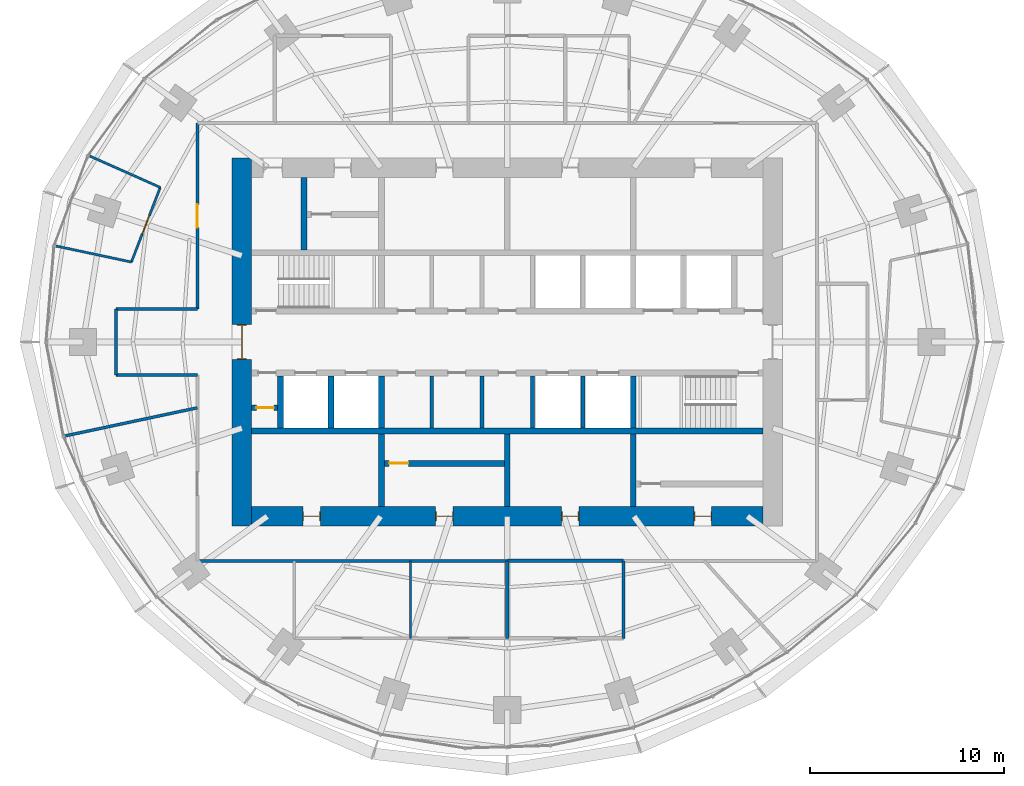
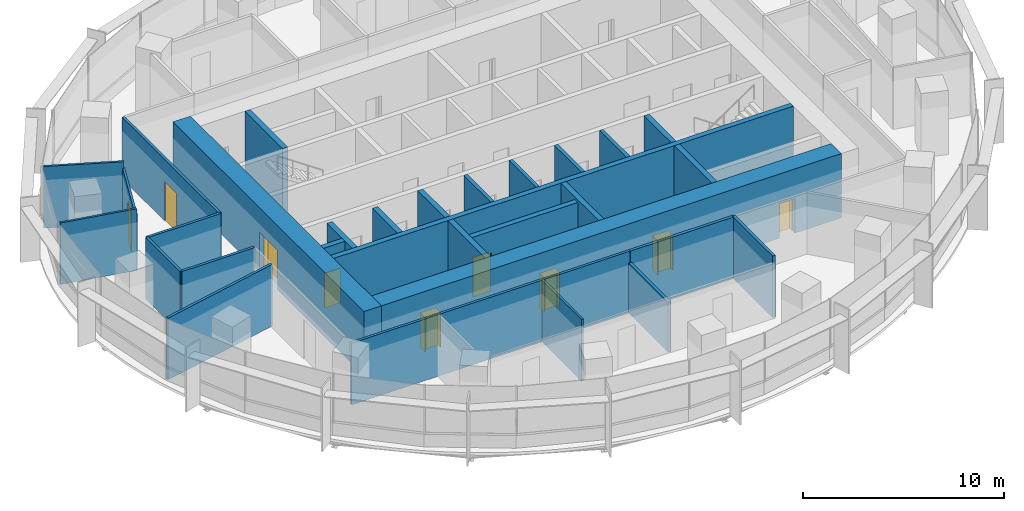
# One storey, part 10 of 14: 30 walls, 9 doors, 9 openings.
"""IFC4 building model written with IfcOpenShell, lengths in metres."""

import ifcopenshell
import ifcopenshell.guid

model = None  # the IFC model being written
_history = None  # IfcOwnerHistory: only IFC2X3 demands one
_inside = {}  # id of a spatial element -> (the spatial element, [elements in it])
_under = {}  # id of a project, library or spatial element -> (it, [spatial elements below it])
_declared = {}  # id of a project -> (the project, [libraries it declares])
_typed = {}  # id of a type object -> (the type object, [elements of that type])
_made_of = {}  # id of a material, layer set ... -> (it, [elements and type objects made of it])


def new_model(schema):
    """Start an empty IFC model of exactly this schema.

    Asked for "IFC4X3", IfcOpenShell would pick the latest addendum, in which some entities
    have other attributes; the version numbers below select the first issue.
    IFC2X3 requires an IfcOwnerHistory on every rooted entity: one is made here for all.
    """
    global model, _history
    if schema == "IFC4X3":
        model = ifcopenshell.file(schema_version=(4, 3, 0, 0))
    else:
        model = ifcopenshell.file(schema=schema)
    _inside.clear()
    _under.clear()
    _declared.clear()
    _typed.clear()
    _made_of.clear()
    _history = None
    if model.schema == "IFC2X3":
        org = make("IfcOrganization", Name="unknown")
        user = make(
            "IfcPersonAndOrganization",
            ThePerson=make("IfcPerson", FamilyName="unknown"),
            TheOrganization=org,
        )
        app = make(
            "IfcApplication",
            ApplicationDeveloper=org,
            Version="unknown",
            ApplicationFullName="unknown",
            ApplicationIdentifier="unknown",
        )
        _history = make(
            "IfcOwnerHistory",
            OwningUser=user,
            OwningApplication=app,
            ChangeAction="ADDED",
            CreationDate=0,
        )
    return model


def make(cls, **values):
    """One entity of the class cls with the attributes given. An attribute that is None is left unset."""
    return model.create_entity(
        cls, **{name: value for name, value in values.items() if value is not None}
    )


def rooted(cls, **values):
    """An entity with a GlobalId (a new one), such as an element, a storey or a relation."""
    return make(cls, GlobalId=ifcopenshell.guid.new(), OwnerHistory=_history, **values)


def si_unit(unit_type, name, prefix=None):
    """IfcSIUnit, for example si_unit("LENGTHUNIT", "METRE", prefix="MILLI")."""
    return make("IfcSIUnit", UnitType=unit_type, Prefix=prefix, Name=name)


def assignment(units):
    """IfcUnitAssignment: the units of a project."""
    return None if units is None else make("IfcUnitAssignment", Units=units)


def point(xyz):
    """IfcCartesianPoint."""
    return None if xyz is None else make("IfcCartesianPoint", Coordinates=xyz)


def direction(xyz):
    """IfcDirection."""
    return None if xyz is None else make("IfcDirection", DirectionRatios=xyz)


def frame(location, z_axis=None, x_axis=None):
    """IfcAxis2Placement3D, a coordinate frame: its origin and axes. An axis left out is left unset."""
    return make(
        "IfcAxis2Placement3D",
        Location=point(location),
        Axis=direction(z_axis),
        RefDirection=direction(x_axis),
    )


def frame_2d(location, x_axis=None):
    """IfcAxis2Placement2D, a coordinate frame in the plane: its origin and x axis."""
    return make(
        "IfcAxis2Placement2D", Location=point(location), RefDirection=direction(x_axis)
    )


def origin():
    """The frame at (0, 0, 0) with its axes left unset."""
    return frame((0.0, 0.0, 0.0))


def place(relative_to, where):
    """IfcLocalPlacement: puts the frame where relative to a parent placement (None: the world)."""
    return make(
        "IfcLocalPlacement", PlacementRelTo=relative_to, RelativePlacement=where
    )


def context(
    kind, dimensions, precision=None, world=None, true_north=None, identifier=None
):
    """IfcGeometricRepresentationContext, for example the 3D "Model" context."""
    return make(
        "IfcGeometricRepresentationContext",
        ContextIdentifier=identifier,
        ContextType=kind,
        CoordinateSpaceDimension=dimensions,
        Precision=precision,
        WorldCoordinateSystem=world,
        TrueNorth=true_north,
    )


def subcontext(parent, identifier, kind, view, scale=None):
    """IfcGeometricRepresentationSubContext, for example "Body" below "Model"."""
    return make(
        "IfcGeometricRepresentationSubContext",
        ContextIdentifier=identifier,
        ContextType=kind,
        ParentContext=parent,
        TargetScale=scale,
        TargetView=view,
    )


def project(units=None, contexts=None):
    """IfcProject with its units and contexts."""
    return rooted(
        "IfcProject",
        Name="project",
        RepresentationContexts=contexts,
        UnitsInContext=assignment(units),
    )


def spatial(cls, under=None, at=None, **own):
    """A site, building, storey or space (cls), placed at a placement, below another one or the project."""
    s = rooted(cls, ObjectPlacement=at, **own)
    if under is not None:
        _under.setdefault(under.id(), (under, []))[1].append(s)
    return s


def profile(cls, at=None, kind="AREA", **sizes):
    """A parametric profile (cls). Its sizes go by their IFC names, for example OverallWidth=200.0."""
    return make(cls, ProfileType=kind, Position=at, **sizes)


def rectangle(**sizes):
    """IfcRectangleProfileDef."""
    return profile("IfcRectangleProfileDef", **sizes)


def extrude(swept, where, along, depth):
    """IfcExtrudedAreaSolid: the profile swept, set in the frame where, extruded along a direction by depth."""
    return make(
        "IfcExtrudedAreaSolid",
        SweptArea=swept,
        Position=where,
        ExtrudedDirection=direction(along),
        Depth=depth,
    )


def shape(context_of_items, identifier, shape_type, items):
    """IfcShapeRepresentation: the items that make up one representation, for example the "Body"."""
    return make(
        "IfcShapeRepresentation",
        ContextOfItems=context_of_items,
        RepresentationIdentifier=identifier,
        RepresentationType=shape_type,
        Items=items,
    )


def material(Name=None, Category=None):
    """IfcMaterial."""
    return make("IfcMaterial", Name=Name, Category=Category)


def layer(
    of_material, thickness, ventilated=None, Name=None, Category=None, Priority=None
):
    """IfcMaterialLayer: one layer of a wall or slab, of a material (None: an air gap)."""
    return make(
        "IfcMaterialLayer",
        Material=of_material,
        LayerThickness=thickness,
        IsVentilated=ventilated,
        Name=Name,
        Category=Category,
        Priority=Priority,
    )


def layer_set(layers, Name=None):
    """IfcMaterialLayerSet."""
    return make("IfcMaterialLayerSet", MaterialLayers=layers, LayerSetName=Name)


def made_of(thing, what):
    """Note that an element or type object is made of a material, layer set ...; save() writes the relation."""
    if what is not None:
        _made_of.setdefault(what.id(), (what, []))[1].append(thing)
    return thing


def type_object(cls, material=None, **own):
    """A type object (cls), such as IfcWallType, which elements share."""
    return made_of(rooted(cls, **own), material)


def element(
    cls,
    number,
    at=None,
    inside=None,
    cuts=None,
    type_object=None,
    material=None,
    context=None,
    identifier="Body",
    shape_type=None,
    held_by="IfcProductDefinitionShape",
    body=None,
    shapes=None,
    **own,
):
    """One element of the class cls, such as IfcWall. Its Tag is "e" and its number.

    at: its placement. inside: the storey or other place that contains it. cuts: it is an
    opening in that element (IfcRelVoidsElement). A single representation is given by context,
    identifier, shape_type and body (its items); several are given by shapes. held_by: the class
    of the entity that holds the representations. save() writes the other relations.
    """
    e = rooted(cls, Tag="e%d" % number, ObjectPlacement=at, **own)
    if body is not None:
        shapes = [shape(context, identifier, shape_type, body)]
    if shapes is not None:
        e.Representation = make(held_by, Representations=shapes)
    if inside is not None:
        _inside.setdefault(inside.id(), (inside, []))[1].append(e)
    if cuts is not None:
        rooted(
            "IfcRelVoidsElement", RelatingBuildingElement=cuts, RelatedOpeningElement=e
        )
    if type_object is not None:
        _typed.setdefault(type_object.id(), (type_object, []))[1].append(e)
    return made_of(e, material)


def fill(opening, filler):
    """IfcRelFillsElement: the door or window that sits in an opening."""
    return rooted(
        "IfcRelFillsElement",
        RelatingOpeningElement=opening,
        RelatedBuildingElement=filler,
    )


def aggregate(whole, parts):
    """IfcRelAggregates: a whole, such as a stair, and the parts it consists of."""
    return rooted("IfcRelAggregates", RelatingObject=whole, RelatedObjects=parts)


def save(model, path):
    """Write the relations noted so far, then the file.

    IfcRelAggregates (storeys below a building ...), IfcRelContainedInSpatialStructure (elements
    in a storey), IfcRelDefinesByType, IfcRelAssociatesMaterial and IfcRelDeclares: one each for
    every whole, place, type object, material and project.
    """
    for whole, parts in _under.values():
        aggregate(whole, parts)
    for where, things in _inside.values():
        rooted(
            "IfcRelContainedInSpatialStructure",
            RelatedElements=things,
            RelatingStructure=where,
        )
    for kind, things in _typed.values():
        rooted("IfcRelDefinesByType", RelatedObjects=things, RelatingType=kind)
    for what, things in _made_of.values():
        rooted("IfcRelAssociatesMaterial", RelatedObjects=things, RelatingMaterial=what)
    for by, libraries in _declared.values():
        rooted("IfcRelDeclares", RelatingContext=by, RelatedDefinitions=libraries)
    model.write(path)


model = new_model("IFC4")

# Units and contexts
model_context = context("Model", 3, precision=1e-05, world=origin(), true_north=direction((0.0, 1.0)))
body_context = subcontext(model_context, "Body", "Model", "MODEL_VIEW")
ifc_project = project(units=[si_unit("LENGTHUNIT", "METRE"), si_unit("AREAUNIT", "SQUARE_METRE"), si_unit("VOLUMEUNIT", "CUBIC_METRE"), si_unit("PLANEANGLEUNIT", "RADIAN"), si_unit("MASSUNIT", "GRAM", prefix="KILO")], contexts=[model_context])

# Site, building, storey
site_placement = place(None, origin())
site = spatial("IfcSite", under=ifc_project, at=site_placement, CompositionType="ELEMENT")
building_placement = place(site_placement, origin())
building = spatial("IfcBuilding", under=site, at=building_placement, Name="Marramba Exchange Tower", CompositionType="ELEMENT")
storey_placement = place(building_placement, frame((0.0, 0.0, 195.5)))
storey = spatial("IfcBuildingStorey", under=building, at=storey_placement, Name="L47", CompositionType="ELEMENT", Elevation=195.5)

# Walls
ifc_material_1 = material(Name="Plasterboard on staggered double steel studs, acoustic insulation", Category="steel")
ifc_layer_1 = layer(ifc_material_1, 0.169921875)
ifc_layer_set_1 = layer_set([ifc_layer_1], Name="Acoustic partition 170")
wall_type_1 = type_object("IfcWallType", Name="Acoustic partition 170", PredefinedType="PARTITIONING", material=ifc_layer_set_1)
wall_1_placement = place(storey_placement, frame((0.0, -15.300048828125, 0.0), z_axis=(0.0, 0.0, 1.0), x_axis=(0.0, 1.0, 0.0)))
element("IfcWall", 1, at=wall_1_placement, inside=storey, type_object=wall_type_1, Name="Acoustic partition L47 08", PredefinedType="PARTITIONING", context=body_context, shape_type="SweptSolid", body=[
    extrude(rectangle(XDim=4.0, YDim=0.169921875, at=frame_2d((2.0, 0.0))), origin(), (0.0, 0.0, 1.0), 3.0400390625),
])
wall_2_placement = place(storey_placement, frame((6.0, -11.300048828125, 0.0), z_axis=(0.0, 0.0, 1.0), x_axis=(-1.0, 0.0, 0.0)))
element("IfcWall", 2, at=wall_2_placement, inside=storey, type_object=wall_type_1, Name="Acoustic partition L47 10", PredefinedType="PARTITIONING", context=body_context, shape_type="SweptSolid", body=[
    extrude(rectangle(XDim=6.0, YDim=0.169921875, at=frame_2d((3.0, 0.0))), origin(), (0.0, 0.0, 1.0), 3.739990234375),
])
wall_3_placement = place(storey_placement, frame((6.0, -15.300048828125, 0.0), z_axis=(0.0, 0.0, 1.0), x_axis=(0.0, 1.0, 0.0)))
element("IfcWall", 3, at=wall_3_placement, inside=storey, type_object=wall_type_1, Name="Acoustic partition L47 11", PredefinedType="PARTITIONING", context=body_context, shape_type="SweptSolid", body=[
    extrude(rectangle(XDim=4.0, YDim=0.169921875, at=frame_2d((2.0, 0.0))), origin(), (0.0, 0.0, 1.0), 3.739990234375),
])
ifc_material_2 = material(Name="Concrete N50", Category="concrete")
ifc_layer_2 = layer(ifc_material_2, 0.199951171875)
ifc_layer_set_2 = layer_set([ifc_layer_2], Name="Core shaft wall 200")
wall_type_2 = type_object("IfcWallType", Name="Core shaft wall 200", PredefinedType="SHEAR", material=ifc_layer_set_2)
for number, where, z_axis, x_axis, name in (
    (4, (-3.89990234375, -1.75, 0.0), (0.0, 0.0, 1.0), (0.0, -1.0, 0.0), "Core wall SHS1 L47"),
    (5, (-1.300048828125, -1.75, 0.0), (0.0, 0.0, 1.0), (0.0, -1.0, 0.0), "Core wall SHS2 L47"),
    (6, (1.300048828125, -1.75, 0.0), (0.0, 0.0, 1.0), (0.0, -1.0, 0.0), "Core wall SHS3 L47"),
    (7, (3.89990234375, -1.75, 0.0), (0.0, 0.0, 1.0), (0.0, -1.0, 0.0), "Core wall SHS4 L47"),
):
    element("IfcWall", number, at=place(storey_placement, frame(where, z_axis=z_axis, x_axis=x_axis)), inside=storey, type_object=wall_type_2, Name=name, PredefinedType="SHEAR", context=body_context, shape_type="SweptSolid", body=[
        extrude(rectangle(XDim=2.699951171875, YDim=0.199951171875, at=frame_2d((1.35009765625, 0.0))), origin(), (0.0, 0.0, 1.0), 3.89990234375),
    ])

# Wall, openings, doors
ifc_layer_3 = layer(ifc_material_2, 1.0)
ifc_layer_set_3 = layer_set([ifc_layer_3], Name="Core wall 1000")
wall_type_3 = type_object("IfcWallType", Name="Core wall 1000", PredefinedType="SHEAR", material=ifc_layer_set_3)
wall_4_placement = place(storey_placement, frame((-13.199951171875, -9.0, 0.0), z_axis=(0.0, 0.0, 1.0), x_axis=(1.0, 0.0, 0.0)))
wall_4 = element("IfcWall", 8, at=wall_4_placement, inside=storey, type_object=wall_type_3, Name="Core wall S L47", PredefinedType="SHEAR", context=body_context, shape_type="SweptSolid", body=[
    extrude(rectangle(XDim=26.39990234375, YDim=1.0, at=frame_2d((13.199951171875, 0.0))), origin(), (0.0, 0.0, 1.0), 3.89990234375),
])
opening_1_placement = place(wall_4_placement, frame((2.64990234375, 0.0, 0.0)))
opening_1 = element("IfcOpeningElement", 9, at=opening_1_placement, cuts=wall_4, Name="Opening D5", PredefinedType="OPENING", context=body_context, shape_type="SweptSolid", body=[
    extrude(rectangle(XDim=0.89990234375, YDim=2.10009765625, at=frame_2d((0.449951171875, 1.050048828125))), frame((0.0, 0.510009765625, 0.0), z_axis=(0.0, -1.0, 0.0), x_axis=(1.0, 0.0, 0.0)), (0.0, 0.0, 1.0), 1.02001953125),
])
opening_2_placement = place(wall_4_placement, frame((9.5, 0.0, 0.0)))
opening_2 = element("IfcOpeningElement", 10, at=opening_2_placement, cuts=wall_4, Name="Opening D5", PredefinedType="OPENING", context=body_context, shape_type="SweptSolid", body=[
    extrude(rectangle(XDim=0.89990234375, YDim=2.10009765625, at=frame_2d((0.449951171875, 1.050048828125))), frame((0.0, 0.510009765625, 0.0), z_axis=(0.0, -1.0, 0.0), x_axis=(1.0, 0.0, 0.0)), (0.0, 0.0, 1.0), 1.02001953125),
])
opening_3_placement = place(wall_4_placement, frame((16.0, 0.0, 0.0)))
opening_3 = element("IfcOpeningElement", 11, at=opening_3_placement, cuts=wall_4, Name="Opening D5", PredefinedType="OPENING", context=body_context, shape_type="SweptSolid", body=[
    extrude(rectangle(XDim=0.89990234375, YDim=2.10009765625, at=frame_2d((0.449951171875, 1.050048828125))), frame((0.0, 0.510009765625, 0.0), z_axis=(0.0, -1.0, 0.0), x_axis=(1.0, 0.0, 0.0)), (0.0, 0.0, 1.0), 1.02001953125),
])
opening_4_placement = place(wall_4_placement, frame((22.85009765625, 0.0, 0.0)))
opening_4 = element("IfcOpeningElement", 12, at=opening_4_placement, cuts=wall_4, Name="Opening D5", PredefinedType="OPENING", context=body_context, shape_type="SweptSolid", body=[
    extrude(rectangle(XDim=0.89990234375, YDim=2.10009765625, at=frame_2d((0.449951171875, 1.050048828125))), frame((0.0, 0.510009765625, 0.0), z_axis=(0.0, -1.0, 0.0), x_axis=(1.0, 0.0, 0.0)), (0.0, 0.0, 1.0), 1.02001953125),
])
ifc_material_3 = material(Name="Steel-framed door", Category="steel")
door_type_1 = type_object("IfcDoorType", Name="Service door 900x2100", OperationType="SINGLE_SWING_LEFT", PredefinedType="DOOR", material=ifc_material_3)
door_1_placement = place(opening_1_placement, origin())
door_1 = element("IfcDoor", 13, at=door_1_placement, inside=storey, type_object=door_type_1, Name="D5 ahu L47", OperationType="SINGLE_SWING_LEFT", OverallHeight=2.10009765625, OverallWidth=0.89990234375, PredefinedType="DOOR", context=body_context, shape_type="SweptSolid", body=[
    extrude(rectangle(XDim=0.81982421875, YDim=2.06005859375, at=frame_2d((0.449951171875, 1.030029296875))), frame((0.0, 0.02490234375, 0.0), z_axis=(0.0, -1.0, 0.0), x_axis=(1.0, 0.0, 0.0)), (0.0, 0.0, 1.0), 0.050048828125),
    extrude(rectangle(XDim=0.04, YDim=2.10009765625, at=frame_2d((0.02001953125, 1.050048828125))), frame((0.0, 0.25, 0.0), z_axis=(0.0, -1.0, 0.0), x_axis=(1.0, 0.0, 0.0)), (0.0, 0.0, 1.0), 0.5),
    extrude(rectangle(XDim=0.04, YDim=2.10009765625, at=frame_2d((0.8798828125, 1.050048828125))), frame((0.0, 0.25, 0.0), z_axis=(0.0, -1.0, 0.0), x_axis=(1.0, 0.0, 0.0)), (0.0, 0.0, 1.0), 0.5),
    extrude(rectangle(XDim=0.81982421875, YDim=0.04, at=frame_2d((0.449951171875, 2.080078125))), frame((0.0, 0.25, 0.0), z_axis=(0.0, -1.0, 0.0), x_axis=(1.0, 0.0, 0.0)), (0.0, 0.0, 1.0), 0.5),
])
fill(opening_1, door_1)
door_2_placement = place(opening_2_placement, origin())
door_2 = element("IfcDoor", 14, at=door_2_placement, inside=storey, type_object=door_type_1, Name="D5 store L47", OperationType="SINGLE_SWING_RIGHT", OverallHeight=2.10009765625, OverallWidth=0.89990234375, PredefinedType="DOOR", context=body_context, shape_type="SweptSolid", body=[
    extrude(rectangle(XDim=0.81982421875, YDim=2.06005859375, at=frame_2d((0.449951171875, 1.030029296875))), frame((0.0, 0.02490234375, 0.0), z_axis=(0.0, -1.0, 0.0), x_axis=(1.0, 0.0, 0.0)), (0.0, 0.0, 1.0), 0.050048828125),
    extrude(rectangle(XDim=0.04, YDim=2.10009765625, at=frame_2d((0.02001953125, 1.050048828125))), frame((0.0, 0.25, 0.0), z_axis=(0.0, -1.0, 0.0), x_axis=(1.0, 0.0, 0.0)), (0.0, 0.0, 1.0), 0.5),
    extrude(rectangle(XDim=0.04, YDim=2.10009765625, at=frame_2d((0.8798828125, 1.050048828125))), frame((0.0, 0.25, 0.0), z_axis=(0.0, -1.0, 0.0), x_axis=(1.0, 0.0, 0.0)), (0.0, 0.0, 1.0), 0.5),
    extrude(rectangle(XDim=0.81982421875, YDim=0.04, at=frame_2d((0.449951171875, 2.080078125))), frame((0.0, 0.25, 0.0), z_axis=(0.0, -1.0, 0.0), x_axis=(1.0, 0.0, 0.0)), (0.0, 0.0, 1.0), 0.5),
])
fill(opening_2, door_2)
door_3_placement = place(opening_3_placement, origin())
door_3 = element("IfcDoor", 15, at=door_3_placement, inside=storey, type_object=door_type_1, Name="D5 switch L47", OperationType="SINGLE_SWING_RIGHT", OverallHeight=2.10009765625, OverallWidth=0.89990234375, PredefinedType="DOOR", context=body_context, shape_type="SweptSolid", body=[
    extrude(rectangle(XDim=0.81982421875, YDim=2.06005859375, at=frame_2d((0.449951171875, 1.030029296875))), frame((0.0, 0.02490234375, 0.0), z_axis=(0.0, -1.0, 0.0), x_axis=(1.0, 0.0, 0.0)), (0.0, 0.0, 1.0), 0.050048828125),
    extrude(rectangle(XDim=0.04, YDim=2.10009765625, at=frame_2d((0.02001953125, 1.050048828125))), frame((0.0, 0.25, 0.0), z_axis=(0.0, -1.0, 0.0), x_axis=(1.0, 0.0, 0.0)), (0.0, 0.0, 1.0), 0.5),
    extrude(rectangle(XDim=0.04, YDim=2.10009765625, at=frame_2d((0.8798828125, 1.050048828125))), frame((0.0, 0.25, 0.0), z_axis=(0.0, -1.0, 0.0), x_axis=(1.0, 0.0, 0.0)), (0.0, 0.0, 1.0), 0.5),
    extrude(rectangle(XDim=0.81982421875, YDim=0.04, at=frame_2d((0.449951171875, 2.080078125))), frame((0.0, 0.25, 0.0), z_axis=(0.0, -1.0, 0.0), x_axis=(1.0, 0.0, 0.0)), (0.0, 0.0, 1.0), 0.5),
])
fill(opening_3, door_3)
door_4_placement = place(opening_4_placement, origin())
door_4 = element("IfcDoor", 16, at=door_4_placement, inside=storey, type_object=door_type_1, Name="D5 cstore L47", OperationType="SINGLE_SWING_RIGHT", OverallHeight=2.10009765625, OverallWidth=0.89990234375, PredefinedType="DOOR", context=body_context, shape_type="SweptSolid", body=[
    extrude(rectangle(XDim=0.81982421875, YDim=2.06005859375, at=frame_2d((0.449951171875, 1.030029296875))), frame((0.0, 0.02490234375, 0.0), z_axis=(0.0, -1.0, 0.0), x_axis=(1.0, 0.0, 0.0)), (0.0, 0.0, 1.0), 0.050048828125),
    extrude(rectangle(XDim=0.04, YDim=2.10009765625, at=frame_2d((0.02001953125, 1.050048828125))), frame((0.0, 0.25, 0.0), z_axis=(0.0, -1.0, 0.0), x_axis=(1.0, 0.0, 0.0)), (0.0, 0.0, 1.0), 0.5),
    extrude(rectangle(XDim=0.04, YDim=2.10009765625, at=frame_2d((0.8798828125, 1.050048828125))), frame((0.0, 0.25, 0.0), z_axis=(0.0, -1.0, 0.0), x_axis=(1.0, 0.0, 0.0)), (0.0, 0.0, 1.0), 0.5),
    extrude(rectangle(XDim=0.81982421875, YDim=0.04, at=frame_2d((0.449951171875, 2.080078125))), frame((0.0, 0.25, 0.0), z_axis=(0.0, -1.0, 0.0), x_axis=(1.0, 0.0, 0.0)), (0.0, 0.0, 1.0), 0.5),
])
fill(opening_4, door_4)

# Wall, opening, door
wall_5_placement = place(storey_placement, frame((-13.699951171875, 9.5, 0.0), z_axis=(0.0, 0.0, 1.0), x_axis=(0.0, -1.0, 0.0)))
wall_5 = element("IfcWall", 17, at=wall_5_placement, inside=storey, type_object=wall_type_3, Name="Core wall W L47", PredefinedType="SHEAR", context=body_context, shape_type="SweptSolid", body=[
    extrude(rectangle(XDim=19.0, YDim=1.0, at=frame_2d((9.5, 0.0))), origin(), (0.0, 0.0, 1.0), 3.89990234375),
])
opening_5_placement = place(wall_5_placement, frame((8.60009765625, 0.0, 0.0)))
opening_5 = element("IfcOpeningElement", 18, at=opening_5_placement, cuts=wall_5, Name="Opening D1", PredefinedType="OPENING", context=body_context, shape_type="SweptSolid", body=[
    extrude(rectangle(XDim=1.800048828125, YDim=2.39990234375, at=frame_2d((0.89990234375, 1.199951171875))), frame((0.0, 0.510009765625, 0.0), z_axis=(0.0, -1.0, 0.0), x_axis=(1.0, 0.0, 0.0)), (0.0, 0.0, 1.0), 1.02001953125),
])
door_type_2 = type_object("IfcDoorType", Name="Lobby exit door 1800x2400", OperationType="DOUBLE_DOOR_SINGLE_SWING", PredefinedType="DOOR", material=ifc_material_3)
door_5_placement = place(opening_5_placement, origin())
door_5 = element("IfcDoor", 19, at=door_5_placement, inside=storey, type_object=door_type_2, Name="D1 lobby exit west L47", OperationType="DOUBLE_DOOR_SINGLE_SWING", OverallHeight=2.39990234375, OverallWidth=1.800048828125, PredefinedType="DOOR", context=body_context, shape_type="SweptSolid", body=[
    extrude(rectangle(XDim=1.719970703125, YDim=2.35986328125, at=frame_2d((0.89990234375, 1.179931640625))), frame((0.0, 0.02490234375, 0.0), z_axis=(0.0, -1.0, 0.0), x_axis=(1.0, 0.0, 0.0)), (0.0, 0.0, 1.0), 0.050048828125),
    extrude(rectangle(XDim=0.04, YDim=2.39990234375, at=frame_2d((0.02001953125, 1.199951171875))), frame((0.0, 0.25, 0.0), z_axis=(0.0, -1.0, 0.0), x_axis=(1.0, 0.0, 0.0)), (0.0, 0.0, 1.0), 0.5),
    extrude(rectangle(XDim=0.04, YDim=2.39990234375, at=frame_2d((1.780029296875, 1.199951171875))), frame((0.0, 0.25, 0.0), z_axis=(0.0, -1.0, 0.0), x_axis=(1.0, 0.0, 0.0)), (0.0, 0.0, 1.0), 0.5),
    extrude(rectangle(XDim=1.719970703125, YDim=0.04, at=frame_2d((0.89990234375, 2.3798828125))), frame((0.0, 0.25, 0.0), z_axis=(0.0, -1.0, 0.0), x_axis=(1.0, 0.0, 0.0)), (0.0, 0.0, 1.0), 0.5),
])
fill(opening_5, door_5)

# Walls
ifc_layer_4 = layer(ifc_material_2, 0.300048828125)
ifc_layer_set_4 = layer_set([ifc_layer_4], Name="Core wall 300")
wall_type_4 = type_object("IfcWallType", Name="Core wall 300", PredefinedType="SHEAR", material=ifc_layer_set_4)
wall_6_placement = place(storey_placement, frame((-13.199951171875, -4.60009765625, 0.0), z_axis=(0.0, 0.0, 1.0), x_axis=(1.0, 0.0, 0.0)))
element("IfcWall", 20, at=wall_6_placement, inside=storey, type_object=wall_type_4, Name="Core wall BS L47", PredefinedType="SHEAR", context=body_context, shape_type="SweptSolid", body=[
    extrude(rectangle(XDim=26.39990234375, YDim=0.300048828125, at=frame_2d((13.199951171875, 0.0))), origin(), (0.0, 0.0, 1.0), 3.89990234375),
])
wall_7_placement = place(storey_placement, frame((-6.5, -1.75, 0.0), z_axis=(0.0, 0.0, 1.0), x_axis=(0.0, -1.0, 0.0)))
element("IfcWall", 21, at=wall_7_placement, inside=storey, type_object=wall_type_4, Name="Core wall X0Sa L47", PredefinedType="SHEAR", context=body_context, shape_type="SweptSolid", body=[
    extrude(rectangle(XDim=2.699951171875, YDim=0.300048828125, at=frame_2d((1.35009765625, 0.0))), origin(), (0.0, 0.0, 1.0), 3.89990234375),
])
wall_8_placement = place(storey_placement, frame((-6.5, -4.75, 0.0), z_axis=(0.0, 0.0, 1.0), x_axis=(0.0, -1.0, 0.0)))
element("IfcWall", 22, at=wall_8_placement, inside=storey, type_object=wall_type_4, Name="Core wall X0Sb L47", PredefinedType="SHEAR", context=body_context, shape_type="SweptSolid", body=[
    extrude(rectangle(XDim=3.75, YDim=0.300048828125, at=frame_2d((1.875, 0.0))), origin(), (0.0, 0.0, 1.0), 3.89990234375),
])
wall_9_placement = place(storey_placement, frame((6.5, -1.75, 0.0), z_axis=(0.0, 0.0, 1.0), x_axis=(0.0, -1.0, 0.0)))
element("IfcWall", 23, at=wall_9_placement, inside=storey, type_object=wall_type_4, Name="Core wall X1Sa L47", PredefinedType="SHEAR", context=body_context, shape_type="SweptSolid", body=[
    extrude(rectangle(XDim=2.699951171875, YDim=0.300048828125, at=frame_2d((1.35009765625, 0.0))), origin(), (0.0, 0.0, 1.0), 3.89990234375),
])
for number, where, z_axis, x_axis, name in (
    (24, (6.5, -4.75, 0.0), (0.0, 0.0, 1.0), (0.0, -1.0, 0.0), "Core wall X1Sb L47"),
    (25, (0.0, -4.75, 0.0), (0.0, 0.0, 1.0), (0.0, -1.0, 0.0), "Core wall MS L47"),
    (26, (-10.5, 4.75, 0.0), (0.0, 0.0, 1.0), (0.0, 1.0, 0.0), "Core wall WD L47"),
):
    element("IfcWall", number, at=place(storey_placement, frame(where, z_axis=z_axis, x_axis=x_axis)), inside=storey, type_object=wall_type_4, Name=name, PredefinedType="SHEAR", context=body_context, shape_type="SweptSolid", body=[
        extrude(rectangle(XDim=3.75, YDim=0.300048828125, at=frame_2d((1.875, 0.0))), origin(), (0.0, 0.0, 1.0), 3.89990234375),
    ])
ifc_material_4 = material(Name="Core-filled concrete blockwork", Category="masonry")
ifc_layer_5 = layer(ifc_material_4, 0.300048828125)
ifc_layer_set_5 = layer_set([ifc_layer_5], Name="Lift shaft wall 300")
wall_type_5 = type_object("IfcWallType", Name="Lift shaft wall 300", PredefinedType="SOLIDWALL", material=ifc_layer_set_5)
for number, where, z_axis, x_axis, name in (
    (27, (-9.10009765625, -1.75, 0.0), (0.0, 0.0, 1.0), (0.0, -1.0, 0.0), "Lift shaft wall W1 L47"),
    (28, (-11.699951171875, -1.75, 0.0), (0.0, 0.0, 1.0), (0.0, -1.0, 0.0), "Lift shaft wall W2 L47"),
):
    element("IfcWall", number, at=place(storey_placement, frame(where, z_axis=z_axis, x_axis=x_axis)), inside=storey, type_object=wall_type_5, Name=name, PredefinedType="SOLIDWALL", context=body_context, shape_type="SweptSolid", body=[
        extrude(rectangle(XDim=2.699951171875, YDim=0.300048828125, at=frame_2d((1.35009765625, 0.0))), origin(), (0.0, 0.0, 1.0), 3.739990234375),
    ])
ifc_material_5 = material(Name="Plasterboard on steel studs", Category="steel")
ifc_layer_6 = layer(ifc_material_5, 0.1201171875)
ifc_layer_set_6 = layer_set([ifc_layer_6], Name="Partition 120")
wall_type_6 = type_object("IfcWallType", Name="Partition 120", PredefinedType="PARTITIONING", material=ifc_layer_set_6)
for number, where, z_axis, x_axis, name in (
    (29, (-5.0, -11.300048828125, 0.0), (0.0, 0.0, 1.0), (0.0, -1.0, 0.0), "Partition L47 06"),
    (30, (-17.914794921875, 7.976318359375, 0.0), (0.0, 0.0, 1.0), (-0.913549606868, 0.406727323635, 0.0), "Partition L47 37"),
):
    element("IfcWall", number, at=place(storey_placement, frame(where, z_axis=z_axis, x_axis=x_axis)), inside=storey, type_object=wall_type_6, Name=name, PredefinedType="PARTITIONING", context=body_context, shape_type="SweptSolid", body=[
        extrude(rectangle(XDim=4.0, YDim=0.1201171875, at=frame_2d((2.0, 0.0))), origin(), (0.0, 0.0, 1.0), 3.739990234375),
    ])

# Wall, opening, door
wall_10_placement = place(storey_placement, frame((-19.404541015625, 4.12451171875, 0.0), z_axis=(0.0, 0.0, 1.0), x_axis=(0.360725417702, 0.932672060814, 0.0)))
wall_10 = element("IfcWall", 31, at=wall_10_placement, inside=storey, type_object=wall_type_6, Name="Partition L47 39", PredefinedType="PARTITIONING", context=body_context, shape_type="SweptSolid", body=[
    extrude(rectangle(XDim=4.1298828125, YDim=0.1201171875, at=frame_2d((2.06494140625, 0.0))), origin(), (0.0, 0.0, 1.0), 3.333984375),
])
opening_6_placement = place(wall_10_placement, frame((1.56494140625, 0.0, 0.0)))
opening_6 = element("IfcOpeningElement", 32, at=opening_6_placement, cuts=wall_10, Name="Opening D9", PredefinedType="OPENING", context=body_context, shape_type="SweptSolid", body=[
    extrude(rectangle(XDim=1.0, YDim=2.39990234375, at=frame_2d((0.5, 1.199951171875))), frame((0.0, 0.070068359375, 0.0), z_axis=(0.0, -1.0, 0.0), x_axis=(1.0, 0.0, 0.0)), (0.0, 0.0, 1.0), 0.14013671875),
])
ifc_material_6 = material(Name="Timber door", Category="wood")
door_type_3 = type_object("IfcDoorType", Name="Room door 1000x2400", OperationType="SINGLE_SWING_LEFT", PredefinedType="DOOR", material=ifc_material_6)
door_6_placement = place(opening_6_placement, origin())
door_6 = element("IfcDoor", 33, at=door_6_placement, inside=storey, type_object=door_type_3, Name="D9 Focus Room L47", OperationType="SINGLE_SWING_RIGHT", OverallHeight=2.39990234375, OverallWidth=1.0, PredefinedType="DOOR", context=body_context, shape_type="SweptSolid", body=[
    extrude(rectangle(XDim=1.0, YDim=2.39990234375, at=frame_2d((0.5, 1.199951171875))), frame((0.0, 0.02490234375, 0.0), z_axis=(0.0, -1.0, 0.0), x_axis=(1.0, 0.0, 0.0)), (0.0, 0.0, 1.0), 0.050048828125),
])
fill(opening_6, door_6)

# Wall
wall_11_placement = place(storey_placement, frame((-23.317138671875, 4.956298828125, 0.0), z_axis=(0.0, 0.0, 1.0), x_axis=(0.978140543132, -0.207944891454, 0.0)))
element("IfcWall", 34, at=wall_11_placement, inside=storey, type_object=wall_type_6, Name="Partition L47 40", PredefinedType="PARTITIONING", context=body_context, shape_type="SweptSolid", body=[
    extrude(rectangle(XDim=4.0, YDim=0.1201171875, at=frame_2d((2.0, 0.0))), origin(), (0.0, 0.0, 1.0), 3.739990234375),
])

# Wall, opening, door
ifc_layer_7 = layer(ifc_material_4, 0.300048828125)
ifc_layer_set_7 = layer_set([ifc_layer_7], Name="Riser enclosure wall 300")
wall_type_7 = type_object("IfcWallType", Name="Riser enclosure wall 300", PredefinedType="SOLIDWALL", material=ifc_layer_set_7)
wall_12_placement = place(storey_placement, frame((-13.199951171875, -3.39990234375, 0.0), z_axis=(0.0, 0.0, 1.0), x_axis=(1.0, 0.0, 0.0)))
wall_12 = element("IfcWall", 35, at=wall_12_placement, inside=storey, type_object=wall_type_7, Name="Riser enclosure wall L47", PredefinedType="SOLIDWALL", context=body_context, shape_type="SweptSolid", body=[
    extrude(rectangle(XDim=1.349853515625, YDim=0.300048828125, at=frame_2d((0.6748046875, 0.0))), origin(), (0.0, 0.0, 1.0), 3.739990234375),
])
opening_7_placement = place(wall_12_placement, frame((0.25, 0.0, 0.0)))
opening_7 = element("IfcOpeningElement", 36, at=opening_7_placement, cuts=wall_12, Name="Opening D5", PredefinedType="OPENING", context=body_context, shape_type="SweptSolid", body=[
    extrude(rectangle(XDim=0.89990234375, YDim=2.10009765625, at=frame_2d((0.449951171875, 1.050048828125))), frame((0.0, 0.159912109375, 0.0), z_axis=(0.0, -1.0, 0.0), x_axis=(1.0, 0.0, 0.0)), (0.0, 0.0, 1.0), 0.320068359375),
])
door_7_placement = place(opening_7_placement, frame((0.89990234375, 0.0, 0.0), z_axis=(0.0, 0.0, 1.0), x_axis=(-1.0, 0.0, 0.0)))
door_7 = element("IfcDoor", 37, at=door_7_placement, inside=storey, type_object=door_type_1, Name="D5 electrical riser back L47", OperationType="SINGLE_SWING_LEFT", OverallHeight=2.10009765625, OverallWidth=0.89990234375, PredefinedType="DOOR", context=body_context, shape_type="SweptSolid", body=[
    extrude(rectangle(XDim=0.89990234375, YDim=2.10009765625, at=frame_2d((0.449951171875, 1.050048828125))), frame((0.0, 0.025146484375, 0.0), z_axis=(0.0, -1.0, 0.0), x_axis=(1.0, 0.0, 0.0)), (0.0, 0.0, 1.0), 0.050048828125),
])
fill(opening_7, door_7)

ifc_material_7 = material(Name="Plasterboard on steel studs, insulated, unrated", Category="steel")
ifc_layer_8 = layer(ifc_material_7, 0.300048828125)
ifc_layer_set_8 = layer_set([ifc_layer_8], Name="Store partition 300")
wall_type_8 = type_object("IfcWallType", Name="Store partition 300", PredefinedType="PARTITIONING", material=ifc_layer_set_8)
wall_13_placement = place(storey_placement, frame((-6.35009765625, -6.27197265625, 0.0), z_axis=(0.0, 0.0, 1.0), x_axis=(1.0, 0.0, 0.0)))
wall_13 = element("IfcWall", 38, at=wall_13_placement, inside=storey, type_object=wall_type_8, Name="Store partition L47 store", PredefinedType="PARTITIONING", context=body_context, shape_type="SweptSolid", body=[
    extrude(rectangle(XDim=6.2001953125, YDim=0.300048828125, at=frame_2d((3.10009765625, 0.0))), origin(), (0.0, 0.0, 1.0), 3.739990234375),
])
opening_8_placement = place(wall_13_placement, frame((0.25, 0.0, 0.0)))
opening_8 = element("IfcOpeningElement", 39, at=opening_8_placement, cuts=wall_13, Name="Opening D9", PredefinedType="OPENING", context=body_context, shape_type="SweptSolid", body=[
    extrude(rectangle(XDim=1.0, YDim=2.39990234375, at=frame_2d((0.5, 1.199951171875))), frame((0.0, 0.159912109375, 0.0), z_axis=(0.0, -1.0, 0.0), x_axis=(1.0, 0.0, 0.0)), (0.0, 0.0, 1.0), 0.320068359375),
])
door_8_placement = place(opening_8_placement, origin())
door_8 = element("IfcDoor", 40, at=door_8_placement, inside=storey, type_object=door_type_3, Name="D9 stationery store L47", OperationType="SINGLE_SWING_LEFT", OverallHeight=2.39990234375, OverallWidth=1.0, PredefinedType="DOOR", context=body_context, shape_type="SweptSolid", body=[
    extrude(rectangle(XDim=1.0, YDim=2.39990234375, at=frame_2d((0.5, 1.199951171875))), frame((0.0, 0.02490234375, 0.0), z_axis=(0.0, -1.0, 0.0), x_axis=(1.0, 0.0, 0.0)), (0.0, 0.0, 1.0), 0.050048828125),
])
fill(opening_8, door_8)

# Walls
ifc_material_8 = material(Name="Fire-rated plasterboard on steel studs, acoustic insulation", Category="steel")
ifc_layer_9 = layer(ifc_material_8, 0.14990234375)
ifc_layer_set_9 = layer_set([ifc_layer_9], Name="Tenancy wall 150")
wall_type_9 = type_object("IfcWallType", Name="Tenancy wall 150", PredefinedType="PARTITIONING", material=ifc_layer_set_9)
wall_14_placement = place(storey_placement, frame((-20.199951171875, -1.699951171875, 0.0), z_axis=(0.0, 0.0, 1.0), x_axis=(1.0, 0.0, 0.0)))
element("IfcWall", 41, at=wall_14_placement, inside=storey, type_object=wall_type_9, Name="Tenancy wall L47 01", PredefinedType="PARTITIONING", context=body_context, shape_type="SweptSolid", body=[
    extrude(rectangle(XDim=4.199951171875, YDim=0.14990234375, at=frame_2d((2.10009765625, 0.0))), origin(), (0.0, 0.0, 1.0), 3.739990234375),
])
wall_15_placement = place(storey_placement, frame((-16.0, -3.40087890625, 0.0), z_axis=(0.0, 0.0, 1.0), x_axis=(-0.978145707098, -0.207920599476, 0.0)))
element("IfcWall", 42, at=wall_15_placement, inside=storey, type_object=wall_type_9, Name="Tenancy wall L47 02", PredefinedType="PARTITIONING", context=body_context, shape_type="SweptSolid", body=[
    extrude(rectangle(XDim=6.98779296875, YDim=0.14990234375, at=frame_2d((3.493896484375, 0.0))), origin(), (0.0, 0.0, 1.0), 3.739990234375),
])
wall_16_placement = place(storey_placement, frame((-16.0, -11.300048828125, 0.0), z_axis=(0.0, 0.0, 1.0), x_axis=(1.0, 0.0, 0.0)))
element("IfcWall", 43, at=wall_16_placement, inside=storey, type_object=wall_type_9, Name="Tenancy wall L47 05", PredefinedType="PARTITIONING", context=body_context, shape_type="SweptSolid", body=[
    extrude(rectangle(XDim=16.0, YDim=0.14990234375, at=frame_2d((8.0, 0.0))), origin(), (0.0, 0.0, 1.0), 3.739990234375),
])

# Wall, opening, door
wall_17_placement = place(storey_placement, frame((-16.0, 11.300048828125, 0.0), z_axis=(0.0, 0.0, 1.0), x_axis=(0.0, -1.0, 0.0)))
wall_17 = element("IfcWall", 44, at=wall_17_placement, inside=storey, type_object=wall_type_9, Name="Tenancy wall L47 38", PredefinedType="PARTITIONING", context=body_context, shape_type="SweptSolid", body=[
    extrude(rectangle(XDim=9.60009765625, YDim=0.14990234375, at=frame_2d((4.800048828125, 0.0))), origin(), (0.0, 0.0, 1.0), 3.739990234375),
])
opening_9_placement = place(wall_17_placement, frame((4.199951171875, 0.0, 0.0)))
opening_9 = element("IfcOpeningElement", 45, at=opening_9_placement, cuts=wall_17, Name="Opening D13", PredefinedType="OPENING", context=body_context, shape_type="SweptSolid", body=[
    extrude(rectangle(XDim=1.199951171875, YDim=2.39990234375, at=frame_2d((0.60009765625, 1.199951171875))), frame((0.0, 0.0849609375, 0.0), z_axis=(0.0, -1.0, 0.0), x_axis=(1.0, 0.0, 0.0)), (0.0, 0.0, 1.0), 0.169921875),
])
door_type_4 = type_object("IfcDoorType", Name="Tenancy entry door 1200x2400", OperationType="SINGLE_SWING_LEFT", PredefinedType="DOOR", material=ifc_material_3)
door_9_placement = place(opening_9_placement, origin())
door_9 = element("IfcDoor", 46, at=door_9_placement, inside=storey, type_object=door_type_4, Name="D13 Office 2 L47", OperationType="SINGLE_SWING_LEFT", OverallHeight=2.39990234375, OverallWidth=1.199951171875, PredefinedType="DOOR", context=body_context, shape_type="SweptSolid", body=[
    extrude(rectangle(XDim=1.199951171875, YDim=2.39990234375, at=frame_2d((0.60009765625, 1.199951171875))), frame((0.0, 0.02490234375, 0.0), z_axis=(0.0, -1.0, 0.0), x_axis=(1.0, 0.0, 0.0)), (0.0, 0.0, 1.0), 0.050048828125),
])
fill(opening_9, door_9)

# Walls
wall_18_placement = place(storey_placement, frame((-16.0, 1.699951171875, 0.0), z_axis=(0.0, 0.0, 1.0), x_axis=(-1.0, 0.0, 0.0)))
element("IfcWall", 47, at=wall_18_placement, inside=storey, type_object=wall_type_9, Name="Tenancy wall L47 41", PredefinedType="PARTITIONING", context=body_context, shape_type="SweptSolid", body=[
    extrude(rectangle(XDim=4.199951171875, YDim=0.14990234375, at=frame_2d((2.10009765625, 0.0))), origin(), (0.0, 0.0, 1.0), 3.739990234375),
])
wall_19_placement = place(storey_placement, frame((-20.199951171875, 1.699951171875, 0.0), z_axis=(0.0, 0.0, 1.0), x_axis=(0.0, -1.0, 0.0)))
element("IfcWall", 48, at=wall_19_placement, inside=storey, type_object=wall_type_9, Name="Tenancy wall L47 42", PredefinedType="PARTITIONING", context=body_context, shape_type="SweptSolid", body=[
    extrude(rectangle(XDim=3.39990234375, YDim=0.14990234375, at=frame_2d((1.699951171875, 0.0))), origin(), (0.0, 0.0, 1.0), 3.739990234375),
])

save(model, "model.ifc")
